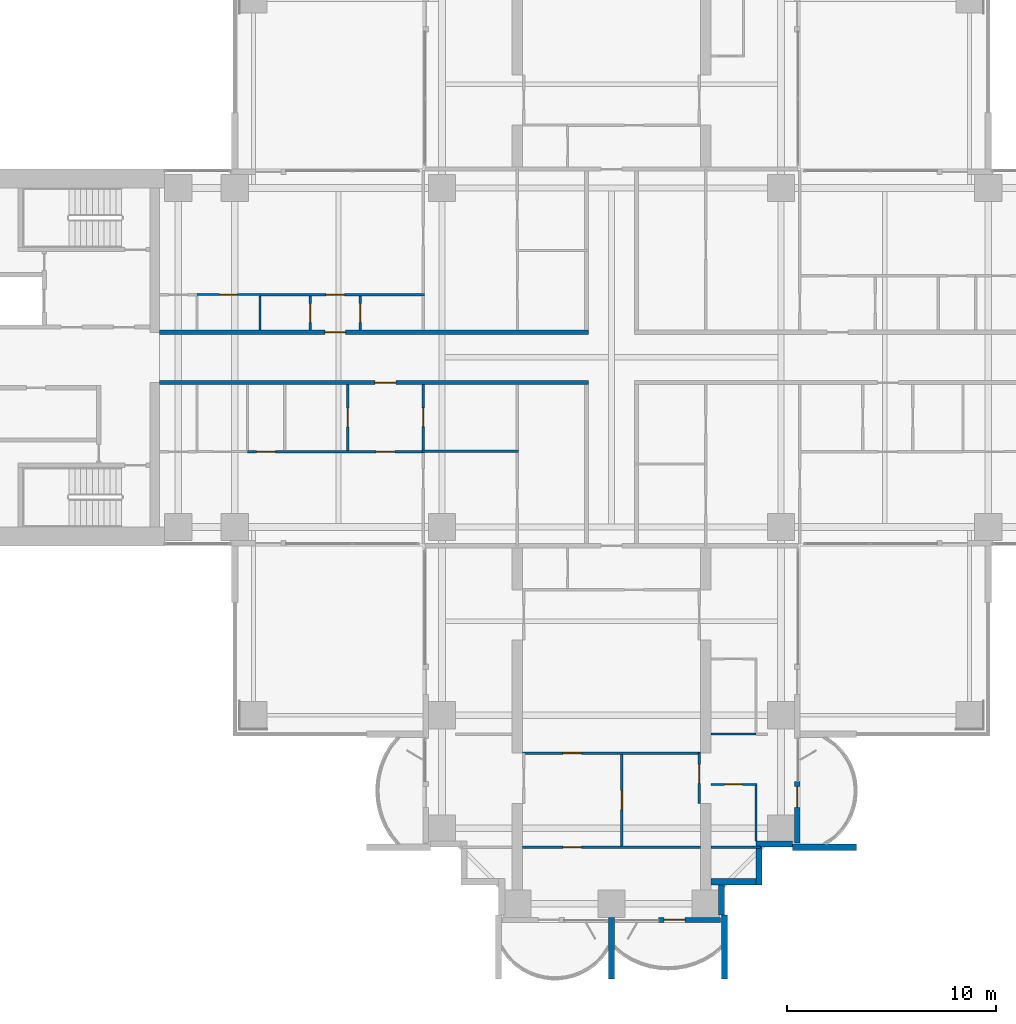
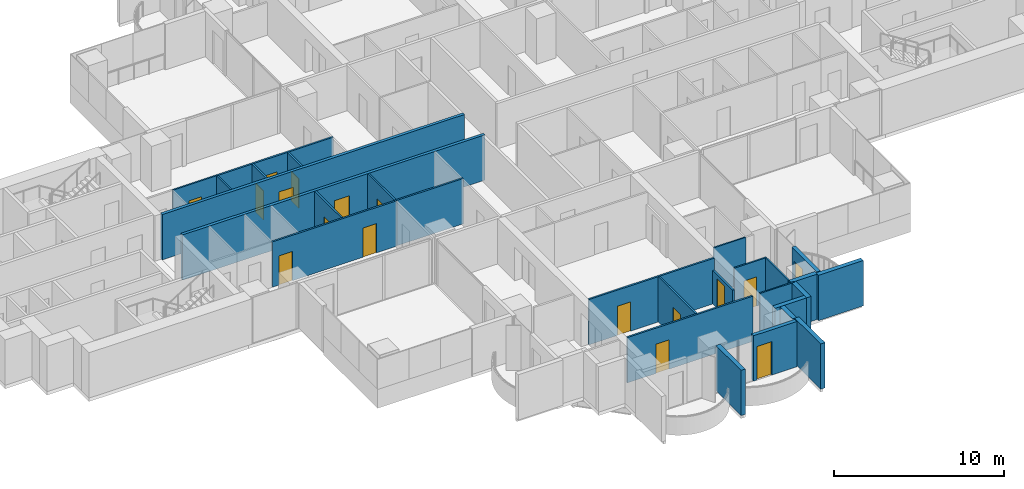
# One storey, part 11 of 21: 28 walls, 17 doors, 17 openings.
"""IFC4 building model written with IfcOpenShell, lengths in metres."""

from ifc_helpers import new_model, si_unit, direction, frame, frame_2d, origin, place, context, subcontext, project, spatial, rectangle, extrude, material, layer, layer_set, type_object, element, fill, save


model = new_model("IFC4")

# Units and contexts
model_context = context("Model", 3, precision=1e-05, world=origin(), true_north=direction((0.0, 1.0)))
body_context = subcontext(model_context, "Body", "Model", "MODEL_VIEW")
ifc_project = project(units=[si_unit("LENGTHUNIT", "METRE"), si_unit("AREAUNIT", "SQUARE_METRE"), si_unit("VOLUMEUNIT", "CUBIC_METRE"), si_unit("PLANEANGLEUNIT", "RADIAN"), si_unit("MASSUNIT", "GRAM", prefix="KILO")], contexts=[model_context])

# Site, building, storey
site_placement = place(None, origin())
site = spatial("IfcSite", under=ifc_project, at=site_placement, CompositionType="ELEMENT")
building_placement = place(site_placement, origin())
building = spatial("IfcBuilding", under=site, at=building_placement, Name="Perihelion Cross Residences", CompositionType="ELEMENT")
storey_placement = place(building_placement, frame((0.0, 0.0, 47.0)))
storey = spatial("IfcBuildingStorey", under=building, at=storey_placement, Name="L08", CompositionType="ELEMENT", Elevation=47.0)

# Wall, opening, door
ifc_material_1 = material(Name="Plasterboard partition")
ifc_layer_1 = layer(ifc_material_1, 0.199951171875)
ifc_layer_set_1 = layer_set([ifc_layer_1], Name="Apartment separation wall 200")
wall_type_1 = type_object("IfcWallType", Name="Apartment separation wall 200", PredefinedType="PARTITIONING", material=ifc_layer_set_1)
wall_1_placement = place(storey_placement, frame((-21.60009765625, 1.199951171875, 0.0), z_axis=(0.0, 0.0, 1.0), x_axis=(1.0, 0.0, 0.0)))
wall_1 = element("IfcWall", 1, at=wall_1_placement, inside=storey, type_object=wall_type_1, Name="Partition L08 W005", PredefinedType="PARTITIONING", context=body_context, shape_type="SweptSolid", body=[
    extrude(rectangle(XDim=20.5, YDim=0.199951171875, at=frame_2d((10.25, 0.0))), origin(), (0.0, 0.0, 1.0), 3.25),
])
opening_1_placement = place(wall_1_placement, frame((7.89990234375, 0.0, 0.0)))
opening_1 = element("IfcOpeningElement", 2, at=opening_1_placement, cuts=wall_1, Name="Opening L08.A49", PredefinedType="OPENING", context=body_context, shape_type="SweptSolid", body=[
    extrude(rectangle(XDim=1.0, YDim=2.10009765625, at=frame_2d((0.5, 1.050048828125))), frame((0.0, 0.10986328125, 0.0), z_axis=(0.0, -1.0, 0.0), x_axis=(1.0, 0.0, 0.0)), (0.0, 0.0, 1.0), 0.219970703125),
])
ifc_material_2 = material(Name="Timber door leaf", Category="wood")
door_type_1 = type_object("IfcDoorType", Name="Flat entrance door 1000 x 2100", OperationType="SINGLE_SWING_LEFT", PredefinedType="DOOR", material=ifc_material_2)
door_1_placement = place(opening_1_placement, origin())
door_1 = element("IfcDoor", 3, at=door_1_placement, inside=storey, type_object=door_type_1, Name="Door L08.A49", OperationType="SINGLE_SWING_LEFT", OverallHeight=2.10009765625, OverallWidth=1.0, PredefinedType="DOOR", context=body_context, shape_type="SweptSolid", body=[
    extrude(rectangle(XDim=1.0, YDim=2.10009765625, at=frame_2d((0.5, 1.050048828125))), frame((0.0, 0.02490234375, 0.0), z_axis=(0.0, -1.0, 0.0), x_axis=(1.0, 0.0, 0.0)), (0.0, 0.0, 1.0), 0.050048828125),
])
fill(opening_1, door_1)

wall_2_placement = place(storey_placement, frame((-1.10009765625, -1.199951171875, 0.0), z_axis=(0.0, 0.0, 1.0), x_axis=(-1.0, 0.0, 0.0)))
wall_2 = element("IfcWall", 4, at=wall_2_placement, inside=storey, type_object=wall_type_1, Name="Partition L08 W007", PredefinedType="PARTITIONING", context=body_context, shape_type="SweptSolid", body=[
    extrude(rectangle(XDim=20.5, YDim=0.199951171875, at=frame_2d((10.25, 0.0))), origin(), (0.0, 0.0, 1.0), 3.25),
])
opening_2_placement = place(wall_2_placement, frame((9.199951171875, 0.0, 0.0)))
opening_2 = element("IfcOpeningElement", 5, at=opening_2_placement, cuts=wall_2, Name="Opening L08.A50", PredefinedType="OPENING", context=body_context, shape_type="SweptSolid", body=[
    extrude(rectangle(XDim=1.0, YDim=2.10009765625, at=frame_2d((0.5, 1.050048828125))), frame((0.0, 0.10986328125, 0.0), z_axis=(0.0, -1.0, 0.0), x_axis=(1.0, 0.0, 0.0)), (0.0, 0.0, 1.0), 0.219970703125),
])
door_2_placement = place(opening_2_placement, origin())
door_2 = element("IfcDoor", 6, at=door_2_placement, inside=storey, type_object=door_type_1, Name="Door L08.A50", OperationType="SINGLE_SWING_RIGHT", OverallHeight=2.10009765625, OverallWidth=1.0, PredefinedType="DOOR", context=body_context, shape_type="SweptSolid", body=[
    extrude(rectangle(XDim=1.0, YDim=2.10009765625, at=frame_2d((0.5, 1.050048828125))), frame((0.0, 0.02490234375, 0.0), z_axis=(0.0, -1.0, 0.0), x_axis=(1.0, 0.0, 0.0)), (0.0, 0.0, 1.0), 0.050048828125),
])
fill(opening_2, door_2)

ifc_material_3 = material(Name="Concrete C30/37, bronze-clad", Category="concrete")
ifc_layer_2 = layer(ifc_material_3, 0.25)
ifc_layer_set_2 = layer_set([ifc_layer_2], Name="Bronze-clad pier wall 250")
wall_type_2 = type_object("IfcWallType", Name="Bronze-clad pier wall 250", PredefinedType="SOLIDWALL", material=ifc_layer_set_2)
wall_3_placement = place(storey_placement, frame((2.25, -26.875, 0.0), z_axis=(0.0, 0.0, 1.0), x_axis=(1.0, 0.0, 0.0)))
wall_3 = element("IfcWall", 7, at=wall_3_placement, inside=storey, type_object=wall_type_2, Name="Wall FW1 L08 south tip south bay 2 pier", PredefinedType="SOLIDWALL", context=body_context, shape_type="SweptSolid", body=[
    extrude(rectangle(XDim=2.949951171875, YDim=0.25, at=frame_2d((1.47509765625, 0.0))), origin(), (0.0, 0.0, 1.0), 3.25),
])
opening_3_placement = place(wall_3_placement, frame((0.25, 0.0, 0.0)))
opening_3 = element("IfcOpeningElement", 8, at=opening_3_placement, cuts=wall_3, Name="Opening L08.E13", PredefinedType="OPENING", context=body_context, shape_type="SweptSolid", body=[
    extrude(rectangle(XDim=1.0, YDim=2.39990234375, at=frame_2d((0.5, 1.199951171875))), frame((0.0, 0.135009765625, 0.0), z_axis=(0.0, -1.0, 0.0), x_axis=(1.0, 0.0, 0.0)), (0.0, 0.0, 1.0), 0.27001953125),
])
ifc_material_4 = material(Name="Bronze anodised aluminium, glazed", Category="aluminium")
door_type_2 = type_object("IfcDoorType", Name="Balcony door 1000 x 2400", OperationType="NOTDEFINED", PredefinedType="DOOR", material=ifc_material_4)
door_3_placement = place(opening_3_placement, origin())
door_3 = element("IfcDoor", 9, at=door_3_placement, inside=storey, type_object=door_type_2, Name="Door L08.E13 south tip south bay 2", OperationType="SINGLE_SWING_RIGHT", OverallHeight=2.39990234375, OverallWidth=1.0, PredefinedType="DOOR", context=body_context, shape_type="SweptSolid", body=[
    extrude(rectangle(XDim=1.0, YDim=2.39990234375, at=frame_2d((0.5, 1.199951171875))), frame((0.0, 0.02490234375, 0.0), z_axis=(0.0, -1.0, 0.0), x_axis=(1.0, 0.0, 0.0)), (0.0, 0.0, 1.0), 0.050048828125),
])
fill(opening_3, door_3)

wall_4_placement = place(storey_placement, frame((8.875, -23.199951171875, 0.0), z_axis=(0.0, 0.0, 1.0), x_axis=(0.0, 1.0, 0.0)))
wall_4 = element("IfcWall", 10, at=wall_4_placement, inside=storey, type_object=wall_type_2, Name="Wall FW1 L08 south side east bay 1 pier", PredefinedType="SOLIDWALL", context=body_context, shape_type="SweptSolid", body=[
    extrude(rectangle(XDim=2.949951171875, YDim=0.25, at=frame_2d((1.47509765625, 0.0))), origin(), (0.0, 0.0, 1.0), 3.25),
])
opening_4_placement = place(wall_4_placement, frame((1.699951171875, 0.0, 0.0)))
opening_4 = element("IfcOpeningElement", 11, at=opening_4_placement, cuts=wall_4, Name="Opening L08.E14", PredefinedType="OPENING", context=body_context, shape_type="SweptSolid", body=[
    extrude(rectangle(XDim=1.0, YDim=2.39990234375, at=frame_2d((0.5, 1.199951171875))), frame((0.0, 0.135009765625, 0.0), z_axis=(0.0, -1.0, 0.0), x_axis=(1.0, 0.0, 0.0)), (0.0, 0.0, 1.0), 0.27001953125),
])
door_4_placement = place(opening_4_placement, origin())
door_4 = element("IfcDoor", 12, at=door_4_placement, inside=storey, type_object=door_type_2, Name="Door L08.E14 south side east bay 1", OperationType="SINGLE_SWING_LEFT", OverallHeight=2.39990234375, OverallWidth=1.0, PredefinedType="DOOR", context=body_context, shape_type="SweptSolid", body=[
    extrude(rectangle(XDim=1.0, YDim=2.39990234375, at=frame_2d((0.5, 1.199951171875))), frame((0.0, 0.02490234375, 0.0), z_axis=(0.0, -1.0, 0.0), x_axis=(1.0, 0.0, 0.0)), (0.0, 0.0, 1.0), 0.050048828125),
])
fill(opening_4, door_4)

# Walls
ifc_material_5 = material(Name="Concrete C30/37, bronze-clad", Category="concrete")
ifc_layer_3 = layer(ifc_material_5, 0.300048828125)
ifc_layer_set_3 = layer_set([ifc_layer_3], Name="Bronze-clad serration wall 300")
wall_type_3 = type_object("IfcWallType", Name="Bronze-clad serration wall 300", PredefinedType="SOLIDWALL", material=ifc_layer_set_3)
wall_5_placement = place(storey_placement, frame((5.25, -26.64990234375, 0.0), z_axis=(0.0, 0.0, 1.0), x_axis=(0.0, 1.0, 0.0)))
element("IfcWall", 13, at=wall_5_placement, inside=storey, type_object=wall_type_3, Name="Wall SR1 L08 south corner south-east 1", PredefinedType="SOLIDWALL", context=body_context, shape_type="SweptSolid", body=[
    extrude(rectangle(XDim=1.449951171875, YDim=0.300048828125, at=frame_2d((0.72509765625, 0.0))), origin(), (0.0, 0.0, 1.0), 3.25),
])
wall_6_placement = place(storey_placement, frame((4.75, -25.050048828125, 0.0), z_axis=(0.0, 0.0, 1.0), x_axis=(1.0, 0.0, 0.0)))
element("IfcWall", 14, at=wall_6_placement, inside=storey, type_object=wall_type_3, Name="Wall SR1 L08 south corner south-east 2", PredefinedType="SOLIDWALL", context=body_context, shape_type="SweptSolid", body=[
    extrude(rectangle(XDim=2.14990234375, YDim=0.300048828125, at=frame_2d((1.074951171875, 0.0))), origin(), (0.0, 0.0, 1.0), 3.25),
])
wall_7_placement = place(storey_placement, frame((7.050048828125, -25.199951171875, 0.0), z_axis=(0.0, 0.0, 1.0), x_axis=(0.0, 1.0, 0.0)))
element("IfcWall", 15, at=wall_7_placement, inside=storey, type_object=wall_type_3, Name="Wall SR1 L08 south corner south-east 3", PredefinedType="SOLIDWALL", context=body_context, shape_type="SweptSolid", body=[
    extrude(rectangle(XDim=1.800048828125, YDim=0.300048828125, at=frame_2d((0.89990234375, 0.0))), origin(), (0.0, 0.0, 1.0), 3.25),
])
wall_8_placement = place(storey_placement, frame((6.89990234375, -23.25, 0.0), z_axis=(0.0, 0.0, 1.0), x_axis=(1.0, 0.0, 0.0)))
element("IfcWall", 16, at=wall_8_placement, inside=storey, type_object=wall_type_3, Name="Wall SR1 L08 south corner south-east 4", PredefinedType="SOLIDWALL", context=body_context, shape_type="SweptSolid", body=[
    extrude(rectangle(XDim=1.75, YDim=0.300048828125, at=frame_2d((0.875, 0.0))), origin(), (0.0, 0.0, 1.0), 3.25),
])

# Wall, opening, door
ifc_material_6 = material(Name="Plasterboard partition")
ifc_layer_4 = layer(ifc_material_6, 0.1201171875)
ifc_layer_set_4 = layer_set([ifc_layer_4], Name="Infill panel 120")
wall_type_4 = type_object("IfcWallType", Name="Infill panel 120", PredefinedType="PARTITIONING", material=ifc_layer_set_4)
wall_9_placement = place(storey_placement, frame((4.18994140625, -18.89990234375, 0.0), z_axis=(0.0, 0.0, 1.0), x_axis=(0.0, -1.0, 0.0)))
wall_9 = element("IfcWall", 17, at=wall_9_placement, inside=storey, type_object=wall_type_4, Name="Partition L08 WI06", PredefinedType="PARTITIONING", context=body_context, shape_type="SweptSolid", body=[
    extrude(rectangle(XDim=2.400146484375, YDim=0.1201171875, at=frame_2d((1.2001953125, 0.0))), origin(), (0.0, 0.0, 1.0), 2.39990234375),
])
opening_5_placement = place(wall_9_placement, frame((0.550048828125, 0.0, 0.0)))
opening_5 = element("IfcOpeningElement", 18, at=opening_5_placement, cuts=wall_9, Name="Opening L08.A56", PredefinedType="OPENING", context=body_context, shape_type="SweptSolid", body=[
    extrude(rectangle(XDim=0.89990234375, YDim=2.10009765625, at=frame_2d((0.449951171875, 1.050048828125))), frame((0.0, 0.070068359375, 0.0), z_axis=(0.0, -1.0, 0.0), x_axis=(1.0, 0.0, 0.0)), (0.0, 0.0, 1.0), 0.14013671875),
])
ifc_material_7 = material(Name="Timber door leaf", Category="wood")
door_type_3 = type_object("IfcDoorType", Name="Interior room door 900 x 2100", OperationType="SINGLE_SWING_LEFT", PredefinedType="DOOR", material=ifc_material_7)
door_5_placement = place(opening_5_placement, origin())
door_5 = element("IfcDoor", 19, at=door_5_placement, inside=storey, type_object=door_type_3, Name="Door L08.A56", OperationType="SINGLE_SWING_LEFT", OverallHeight=2.10009765625, OverallWidth=0.89990234375, PredefinedType="DOOR", context=body_context, shape_type="SweptSolid", body=[
    extrude(rectangle(XDim=0.89990234375, YDim=2.10009765625, at=frame_2d((0.449951171875, 1.050048828125))), frame((0.0, 0.02490234375, 0.0), z_axis=(0.0, -1.0, 0.0), x_axis=(1.0, 0.0, 0.0)), (0.0, 0.0, 1.0), 0.050048828125),
])
fill(opening_5, door_5)

ifc_material_8 = material(Name="Plasterboard partition")
ifc_layer_5 = layer(ifc_material_8, 0.1201171875)
ifc_layer_set_5 = layer_set([ifc_layer_5], Name="Partition wall 120")
wall_type_5 = type_object("IfcWallType", Name="Partition wall 120", PredefinedType="PARTITIONING", material=ifc_layer_set_5)
wall_10_placement = place(storey_placement, frame((-12.0, 1.300048828125, 0.0), z_axis=(0.0, 0.0, 1.0), x_axis=(0.0, 1.0, 0.0)))
wall_10 = element("IfcWall", 20, at=wall_10_placement, inside=storey, type_object=wall_type_5, Name="Partition L08 W031", PredefinedType="PARTITIONING", context=body_context, shape_type="SweptSolid", body=[
    extrude(rectangle(XDim=1.639892578125, YDim=0.1201171875, at=frame_2d((0.81982421875, 0.0))), origin(), (0.0, 0.0, 1.0), 3.25),
])
opening_6_placement = place(wall_10_placement, frame((0.3701171875, 0.0, 0.0)))
opening_6 = element("IfcOpeningElement", 21, at=opening_6_placement, cuts=wall_10, Name="Opening L08.A17", PredefinedType="OPENING", context=body_context, shape_type="SweptSolid", body=[
    extrude(rectangle(XDim=0.89990234375, YDim=2.10009765625, at=frame_2d((0.449951171875, 1.050048828125))), frame((0.0, 0.070068359375, 0.0), z_axis=(0.0, -1.0, 0.0), x_axis=(1.0, 0.0, 0.0)), (0.0, 0.0, 1.0), 0.14013671875),
])
door_6_placement = place(opening_6_placement, origin())
door_6 = element("IfcDoor", 22, at=door_6_placement, inside=storey, type_object=door_type_3, Name="Door L08.A17", OperationType="SINGLE_SWING_RIGHT", OverallHeight=2.10009765625, OverallWidth=0.89990234375, PredefinedType="DOOR", context=body_context, shape_type="SweptSolid", body=[
    extrude(rectangle(XDim=0.89990234375, YDim=2.10009765625, at=frame_2d((0.449951171875, 1.050048828125))), frame((0.0, 0.02490234375, 0.0), z_axis=(0.0, -1.0, 0.0), x_axis=(1.0, 0.0, 0.0)), (0.0, 0.0, 1.0), 0.050048828125),
])
fill(opening_6, door_6)

wall_11_placement = place(storey_placement, frame((-16.800048828125, 3.0, 0.0), z_axis=(0.0, 0.0, 1.0), x_axis=(1.0, 0.0, 0.0)))
wall_11 = element("IfcWall", 23, at=wall_11_placement, inside=storey, type_object=wall_type_5, Name="Partition L08 W032", PredefinedType="PARTITIONING", context=body_context, shape_type="SweptSolid", body=[
    extrude(rectangle(XDim=7.860107421875, YDim=0.1201171875, at=frame_2d((3.93017578125, 0.0))), origin(), (0.0, 0.0, 1.0), 3.25),
])
opening_7_placement = place(wall_11_placement, frame((3.14990234375, 0.0, 0.0)))
opening_7 = element("IfcOpeningElement", 24, at=opening_7_placement, cuts=wall_11, Name="Opening L08.A22", PredefinedType="OPENING", context=body_context, shape_type="SweptSolid", body=[
    extrude(rectangle(XDim=0.89990234375, YDim=2.10009765625, at=frame_2d((0.449951171875, 1.050048828125))), frame((0.0, 0.070068359375, 0.0), z_axis=(0.0, -1.0, 0.0), x_axis=(1.0, 0.0, 0.0)), (0.0, 0.0, 1.0), 0.14013671875),
])
door_7_placement = place(opening_7_placement, origin())
door_7 = element("IfcDoor", 25, at=door_7_placement, inside=storey, type_object=door_type_3, Name="Door L08.A22", OperationType="SINGLE_SWING_LEFT", OverallHeight=2.10009765625, OverallWidth=0.89990234375, PredefinedType="DOOR", context=body_context, shape_type="SweptSolid", body=[
    extrude(rectangle(XDim=0.89990234375, YDim=2.10009765625, at=frame_2d((0.449951171875, 1.050048828125))), frame((0.0, 0.02490234375, 0.0), z_axis=(0.0, -1.0, 0.0), x_axis=(1.0, 0.0, 0.0)), (0.0, 0.0, 1.0), 0.050048828125),
])
fill(opening_7, door_7)

wall_12_placement = place(storey_placement, frame((-14.39990234375, 1.300048828125, 0.0), z_axis=(0.0, 0.0, 1.0), x_axis=(0.0, 1.0, 0.0)))
wall_12 = element("IfcWall", 26, at=wall_12_placement, inside=storey, type_object=wall_type_5, Name="Partition L08 W034", PredefinedType="PARTITIONING", context=body_context, shape_type="SweptSolid", body=[
    extrude(rectangle(XDim=1.639892578125, YDim=0.1201171875, at=frame_2d((0.81982421875, 0.0))), origin(), (0.0, 0.0, 1.0), 3.25),
])
opening_8_placement = place(wall_12_placement, frame((0.3701171875, 0.0, 0.0)))
opening_8 = element("IfcOpeningElement", 27, at=opening_8_placement, cuts=wall_12, Name="Opening L08.A23", PredefinedType="OPENING", context=body_context, shape_type="SweptSolid", body=[
    extrude(rectangle(XDim=0.89990234375, YDim=2.10009765625, at=frame_2d((0.449951171875, 1.050048828125))), frame((0.0, 0.070068359375, 0.0), z_axis=(0.0, -1.0, 0.0), x_axis=(1.0, 0.0, 0.0)), (0.0, 0.0, 1.0), 0.14013671875),
])
door_8_placement = place(opening_8_placement, origin())
door_8 = element("IfcDoor", 28, at=door_8_placement, inside=storey, type_object=door_type_3, Name="Door L08.A23", OperationType="SINGLE_SWING_LEFT", OverallHeight=2.10009765625, OverallWidth=0.89990234375, PredefinedType="DOOR", context=body_context, shape_type="SweptSolid", body=[
    extrude(rectangle(XDim=0.89990234375, YDim=2.10009765625, at=frame_2d((0.449951171875, 1.050048828125))), frame((0.0, 0.02490234375, 0.0), z_axis=(0.0, -1.0, 0.0), x_axis=(1.0, 0.0, 0.0)), (0.0, 0.0, 1.0), 0.050048828125),
])
fill(opening_8, door_8)

wall_13_placement = place(storey_placement, frame((-12.60009765625, -4.43994140625, 0.0), z_axis=(0.0, 0.0, 1.0), x_axis=(0.0, 1.0, 0.0)))
wall_13 = element("IfcWall", 29, at=wall_13_placement, inside=storey, type_object=wall_type_5, Name="Partition L08 W042", PredefinedType="PARTITIONING", context=body_context, shape_type="SweptSolid", body=[
    extrude(rectangle(XDim=3.139892578125, YDim=0.1201171875, at=frame_2d((1.56982421875, 0.0))), origin(), (0.0, 0.0, 1.0), 3.25),
])
opening_9_placement = place(wall_13_placement, frame((1.1201171875, 0.0, 0.0)))
opening_9 = element("IfcOpeningElement", 30, at=opening_9_placement, cuts=wall_13, Name="Opening L08.A26", PredefinedType="OPENING", context=body_context, shape_type="SweptSolid", body=[
    extrude(rectangle(XDim=0.89990234375, YDim=2.10009765625, at=frame_2d((0.449951171875, 1.050048828125))), frame((0.0, 0.070068359375, 0.0), z_axis=(0.0, -1.0, 0.0), x_axis=(1.0, 0.0, 0.0)), (0.0, 0.0, 1.0), 0.14013671875),
])
door_9_placement = place(opening_9_placement, origin())
door_9 = element("IfcDoor", 31, at=door_9_placement, inside=storey, type_object=door_type_3, Name="Door L08.A26", OperationType="SINGLE_SWING_RIGHT", OverallHeight=2.10009765625, OverallWidth=0.89990234375, PredefinedType="DOOR", context=body_context, shape_type="SweptSolid", body=[
    extrude(rectangle(XDim=0.89990234375, YDim=2.10009765625, at=frame_2d((0.449951171875, 1.050048828125))), frame((0.0, 0.02490234375, 0.0), z_axis=(0.0, -1.0, 0.0), x_axis=(1.0, 0.0, 0.0)), (0.0, 0.0, 1.0), 0.050048828125),
])
fill(opening_9, door_9)

# Wall, openings, doors
wall_14_placement = place(storey_placement, frame((-8.93994140625, -4.5, 0.0), z_axis=(0.0, 0.0, 1.0), x_axis=(-1.0, 0.0, 0.0)))
wall_14 = element("IfcWall", 32, at=wall_14_placement, inside=storey, type_object=wall_type_5, Name="Partition L08 W043", PredefinedType="PARTITIONING", context=body_context, shape_type="SweptSolid", body=[
    extrude(rectangle(XDim=8.4599609375, YDim=0.1201171875, at=frame_2d((4.22998046875, 0.0))), origin(), (0.0, 0.0, 1.0), 3.25),
])
opening_10_placement = place(wall_14_placement, frame((7.110107421875, 0.0, 0.0)))
opening_10 = element("IfcOpeningElement", 33, at=opening_10_placement, cuts=wall_14, Name="Opening L08.A28", PredefinedType="OPENING", context=body_context, shape_type="SweptSolid", body=[
    extrude(rectangle(XDim=0.89990234375, YDim=2.10009765625, at=frame_2d((0.449951171875, 1.050048828125))), frame((0.0, 0.070068359375, 0.0), z_axis=(0.0, -1.0, 0.0), x_axis=(1.0, 0.0, 0.0)), (0.0, 0.0, 1.0), 0.14013671875),
])
opening_11_placement = place(wall_14_placement, frame((1.409912109375, 0.0, 0.0)))
opening_11 = element("IfcOpeningElement", 34, at=opening_11_placement, cuts=wall_14, Name="Opening L08.A31", PredefinedType="OPENING", context=body_context, shape_type="SweptSolid", body=[
    extrude(rectangle(XDim=0.89990234375, YDim=2.10009765625, at=frame_2d((0.449951171875, 1.050048828125))), frame((0.0, 0.070068359375, 0.0), z_axis=(0.0, -1.0, 0.0), x_axis=(1.0, 0.0, 0.0)), (0.0, 0.0, 1.0), 0.14013671875),
])
door_10_placement = place(opening_10_placement, origin())
door_10 = element("IfcDoor", 35, at=door_10_placement, inside=storey, type_object=door_type_3, Name="Door L08.A28", OperationType="SINGLE_SWING_RIGHT", OverallHeight=2.10009765625, OverallWidth=0.89990234375, PredefinedType="DOOR", context=body_context, shape_type="SweptSolid", body=[
    extrude(rectangle(XDim=0.89990234375, YDim=2.10009765625, at=frame_2d((0.449951171875, 1.050048828125))), frame((0.0, 0.02490234375, 0.0), z_axis=(0.0, -1.0, 0.0), x_axis=(1.0, 0.0, 0.0)), (0.0, 0.0, 1.0), 0.050048828125),
])
fill(opening_10, door_10)
door_11_placement = place(opening_11_placement, origin())
door_11 = element("IfcDoor", 36, at=door_11_placement, inside=storey, type_object=door_type_3, Name="Door L08.A31", OperationType="SINGLE_SWING_LEFT", OverallHeight=2.10009765625, OverallWidth=0.89990234375, PredefinedType="DOOR", context=body_context, shape_type="SweptSolid", body=[
    extrude(rectangle(XDim=0.89990234375, YDim=2.10009765625, at=frame_2d((0.449951171875, 1.050048828125))), frame((0.0, 0.02490234375, 0.0), z_axis=(0.0, -1.0, 0.0), x_axis=(1.0, 0.0, 0.0)), (0.0, 0.0, 1.0), 0.050048828125),
])
fill(opening_11, door_11)

# Wall, opening, door
wall_15_placement = place(storey_placement, frame((-9.0, -1.300048828125, 0.0), z_axis=(0.0, 0.0, 1.0), x_axis=(0.0, -1.0, 0.0)))
wall_15 = element("IfcWall", 37, at=wall_15_placement, inside=storey, type_object=wall_type_5, Name="Partition L08 W044", PredefinedType="PARTITIONING", context=body_context, shape_type="SweptSolid", body=[
    extrude(rectangle(XDim=3.115966796875, YDim=0.1201171875, at=frame_2d((1.55810546875, 0.0))), origin(), (0.0, 0.0, 1.0), 3.25),
])
opening_12_placement = place(wall_15_placement, frame((1.10791015625, 0.0, 0.0)))
opening_12 = element("IfcOpeningElement", 38, at=opening_12_placement, cuts=wall_15, Name="Opening L08.A27", PredefinedType="OPENING", context=body_context, shape_type="SweptSolid", body=[
    extrude(rectangle(XDim=0.89990234375, YDim=2.10009765625, at=frame_2d((0.449951171875, 1.050048828125))), frame((0.0, 0.070068359375, 0.0), z_axis=(0.0, -1.0, 0.0), x_axis=(1.0, 0.0, 0.0)), (0.0, 0.0, 1.0), 0.14013671875),
])
door_12_placement = place(opening_12_placement, origin())
door_12 = element("IfcDoor", 39, at=door_12_placement, inside=storey, type_object=door_type_3, Name="Door L08.A27", OperationType="SINGLE_SWING_LEFT", OverallHeight=2.10009765625, OverallWidth=0.89990234375, PredefinedType="DOOR", context=body_context, shape_type="SweptSolid", body=[
    extrude(rectangle(XDim=0.89990234375, YDim=2.10009765625, at=frame_2d((0.449951171875, 1.050048828125))), frame((0.0, 0.02490234375, 0.0), z_axis=(0.0, -1.0, 0.0), x_axis=(1.0, 0.0, 0.0)), (0.0, 0.0, 1.0), 0.050048828125),
])
fill(opening_12, door_12)

# Wall
wall_16_placement = place(storey_placement, frame((-4.43994140625, -4.47607421875, 0.0), z_axis=(0.0, 0.0, 1.0), x_axis=(-1.0, 0.0, 0.0)))
element("IfcWall", 40, at=wall_16_placement, inside=storey, type_object=wall_type_5, Name="Partition L08 W051", PredefinedType="PARTITIONING", context=body_context, shape_type="SweptSolid", body=[
    extrude(rectangle(XDim=4.6201171875, YDim=0.1201171875, at=frame_2d((2.31005859375, 0.0))), origin(), (0.0, 0.0, 1.0), 3.25),
])

# Wall, opening, door
wall_17_placement = place(storey_placement, frame((4.25, -18.89990234375, 0.0), z_axis=(0.0, 0.0, 1.0), x_axis=(-1.0, 0.0, 0.0)))
wall_17 = element("IfcWall", 41, at=wall_17_placement, inside=storey, type_object=wall_type_5, Name="Partition L08 W069", PredefinedType="PARTITIONING", context=body_context, shape_type="SweptSolid", body=[
    extrude(rectangle(XDim=8.5, YDim=0.1201171875, at=frame_2d((4.25, 0.0))), origin(), (0.0, 0.0, 1.0), 3.25),
])
opening_13_placement = place(wall_17_placement, frame((5.675048828125, 0.0, 0.0)))
opening_13 = element("IfcOpeningElement", 42, at=opening_13_placement, cuts=wall_17, Name="Opening L08.A42", PredefinedType="OPENING", context=body_context, shape_type="SweptSolid", body=[
    extrude(rectangle(XDim=0.89990234375, YDim=2.10009765625, at=frame_2d((0.449951171875, 1.050048828125))), frame((0.0, 0.070068359375, 0.0), z_axis=(0.0, -1.0, 0.0), x_axis=(1.0, 0.0, 0.0)), (0.0, 0.0, 1.0), 0.14013671875),
])
door_13_placement = place(opening_13_placement, origin())
door_13 = element("IfcDoor", 43, at=door_13_placement, inside=storey, type_object=door_type_3, Name="Door L08.A42", OperationType="SINGLE_SWING_LEFT", OverallHeight=2.10009765625, OverallWidth=0.89990234375, PredefinedType="DOOR", context=body_context, shape_type="SweptSolid", body=[
    extrude(rectangle(XDim=0.89990234375, YDim=2.10009765625, at=frame_2d((0.449951171875, 1.050048828125))), frame((0.0, 0.02490234375, 0.0), z_axis=(0.0, -1.0, 0.0), x_axis=(1.0, 0.0, 0.0)), (0.0, 0.0, 1.0), 0.050048828125),
])
fill(opening_13, door_13)

wall_18_placement = place(storey_placement, frame((0.5, -18.9599609375, 0.0), z_axis=(0.0, 0.0, 1.0), x_axis=(0.0, -1.0, 0.0)))
wall_18 = element("IfcWall", 44, at=wall_18_placement, inside=storey, type_object=wall_type_5, Name="Partition L08 W070", PredefinedType="PARTITIONING", context=body_context, shape_type="SweptSolid", body=[
    extrude(rectangle(XDim=4.380126953125, YDim=0.1201171875, at=frame_2d((2.18994140625, 0.0))), origin(), (0.0, 0.0, 1.0), 3.25),
])
opening_14_placement = place(wall_18_placement, frame((1.739990234375, 0.0, 0.0)))
opening_14 = element("IfcOpeningElement", 45, at=opening_14_placement, cuts=wall_18, Name="Opening L08.A43", PredefinedType="OPENING", context=body_context, shape_type="SweptSolid", body=[
    extrude(rectangle(XDim=0.89990234375, YDim=2.10009765625, at=frame_2d((0.449951171875, 1.050048828125))), frame((0.0, 0.070068359375, 0.0), z_axis=(0.0, -1.0, 0.0), x_axis=(1.0, 0.0, 0.0)), (0.0, 0.0, 1.0), 0.14013671875),
])
door_14_placement = place(opening_14_placement, origin())
door_14 = element("IfcDoor", 46, at=door_14_placement, inside=storey, type_object=door_type_3, Name="Door L08.A43", OperationType="SINGLE_SWING_LEFT", OverallHeight=2.10009765625, OverallWidth=0.89990234375, PredefinedType="DOOR", context=body_context, shape_type="SweptSolid", body=[
    extrude(rectangle(XDim=0.89990234375, YDim=2.10009765625, at=frame_2d((0.449951171875, 1.050048828125))), frame((0.0, 0.02490234375, 0.0), z_axis=(0.0, -1.0, 0.0), x_axis=(1.0, 0.0, 0.0)), (0.0, 0.0, 1.0), 0.050048828125),
])
fill(opening_14, door_14)

wall_19_placement = place(storey_placement, frame((4.25, -23.39990234375, 0.0), z_axis=(0.0, 0.0, 1.0), x_axis=(-1.0, 0.0, 0.0)))
wall_19 = element("IfcWall", 47, at=wall_19_placement, inside=storey, type_object=wall_type_5, Name="Partition L08 W071", PredefinedType="PARTITIONING", context=body_context, shape_type="SweptSolid", body=[
    extrude(rectangle(XDim=8.5, YDim=0.1201171875, at=frame_2d((4.25, 0.0))), origin(), (0.0, 0.0, 1.0), 3.25),
])
opening_15_placement = place(wall_19_placement, frame((5.675048828125, 0.0, 0.0)))
opening_15 = element("IfcOpeningElement", 48, at=opening_15_placement, cuts=wall_19, Name="Opening L08.A44", PredefinedType="OPENING", context=body_context, shape_type="SweptSolid", body=[
    extrude(rectangle(XDim=0.89990234375, YDim=2.10009765625, at=frame_2d((0.449951171875, 1.050048828125))), frame((0.0, 0.070068359375, 0.0), z_axis=(0.0, -1.0, 0.0), x_axis=(1.0, 0.0, 0.0)), (0.0, 0.0, 1.0), 0.14013671875),
])
door_15_placement = place(opening_15_placement, origin())
door_15 = element("IfcDoor", 49, at=door_15_placement, inside=storey, type_object=door_type_3, Name="Door L08.A44", OperationType="SINGLE_SWING_RIGHT", OverallHeight=2.10009765625, OverallWidth=0.89990234375, PredefinedType="DOOR", context=body_context, shape_type="SweptSolid", body=[
    extrude(rectangle(XDim=0.89990234375, YDim=2.10009765625, at=frame_2d((0.449951171875, 1.050048828125))), frame((0.0, 0.02490234375, 0.0), z_axis=(0.0, -1.0, 0.0), x_axis=(1.0, 0.0, 0.0)), (0.0, 0.0, 1.0), 0.050048828125),
])
fill(opening_15, door_15)

# Walls
ifc_material_9 = material(Name="Precast concrete C50/60", Category="concrete")
ifc_layer_6 = layer(ifc_material_9, 0.300048828125)
ifc_layer_set_6 = layer_set([ifc_layer_6], Name="Precast concrete C50/60 blade wall 300")
wall_type_6 = type_object("IfcWallType", Name="Precast concrete C50/60 blade wall 300", PredefinedType="SOLIDWALL", material=ifc_layer_set_6)
wall_20_placement = place(storey_placement, frame((0.0, -26.75, 0.0), z_axis=(0.0, 0.0, 1.0), x_axis=(0.0, -1.0, 0.0)))
element("IfcWall", 50, at=wall_20_placement, inside=storey, type_object=wall_type_6, Name="Wall BL1 L08 no. 9", PredefinedType="SOLIDWALL", context=body_context, shape_type="SweptSolid", body=[
    extrude(rectangle(XDim=2.949951171875, YDim=0.300048828125, at=frame_2d((1.47509765625, 0.0))), origin(), (0.0, 0.0, 1.0), 3.25),
])
for number, where, z_axis, x_axis, name in (
    (51, (5.39990234375, -26.64990234375, 0.0), (0.0, 0.0, 1.0), (0.0, -1.0, 0.0), "Wall BL1 L08 no. 13"),
    (52, (8.64990234375, -23.39990234375, 0.0), (0.0, 0.0, 1.0), (1.0, 0.0, 0.0), "Wall BL1 L08 no. 16"),
):
    element("IfcWall", number, at=place(storey_placement, frame(where, z_axis=z_axis, x_axis=x_axis)), inside=storey, type_object=wall_type_6, Name=name, PredefinedType="SOLIDWALL", context=body_context, shape_type="SweptSolid", body=[
        extrude(rectangle(XDim=3.050048828125, YDim=0.300048828125, at=frame_2d((1.52490234375, 0.0))), origin(), (0.0, 0.0, 1.0), 3.25),
    ])
ifc_material_10 = material(Name="Plasterboard partition")
ifc_layer_7 = layer(ifc_material_10, 0.10009765625)
ifc_layer_set_7 = layer_set([ifc_layer_7], Name="Wet room wall 100")
wall_type_7 = type_object("IfcWallType", Name="Wet room wall 100", PredefinedType="PARTITIONING", material=ifc_layer_set_7)
wall_21_placement = place(storey_placement, frame((-16.800048828125, 1.300048828125, 0.0), z_axis=(0.0, 0.0, 1.0), x_axis=(0.0, 1.0, 0.0)))
element("IfcWall", 53, at=wall_21_placement, inside=storey, type_object=wall_type_7, Name="Partition L08 W035", PredefinedType="PARTITIONING", context=body_context, shape_type="SweptSolid", body=[
    extrude(rectangle(XDim=1.639892578125, YDim=0.10009765625, at=frame_2d((0.81982421875, 0.0))), origin(), (0.0, 0.0, 1.0), 3.25),
])

# Wall, opening, door
wall_22_placement = place(storey_placement, frame((-19.800048828125, 3.0, 0.0), z_axis=(0.0, 0.0, 1.0), x_axis=(1.0, 0.0, 0.0)))
wall_22 = element("IfcWall", 54, at=wall_22_placement, inside=storey, type_object=wall_type_7, Name="Partition L08 W037", PredefinedType="PARTITIONING", context=body_context, shape_type="SweptSolid", body=[
    extrude(rectangle(XDim=3.0, YDim=0.10009765625, at=frame_2d((1.5, 0.0))), origin(), (0.0, 0.0, 1.0), 3.25),
])
opening_16_placement = place(wall_22_placement, frame((1.074951171875, 0.0, 0.0)))
opening_16 = element("IfcOpeningElement", 55, at=opening_16_placement, cuts=wall_22, Name="Opening L08.A16", PredefinedType="OPENING", context=body_context, shape_type="SweptSolid", body=[
    extrude(rectangle(XDim=0.85009765625, YDim=2.10009765625, at=frame_2d((0.425048828125, 1.050048828125))), frame((0.0, 0.06005859375, 0.0), z_axis=(0.0, -1.0, 0.0), x_axis=(1.0, 0.0, 0.0)), (0.0, 0.0, 1.0), 0.1201171875),
])
ifc_material_11 = material(Name="Timber door leaf", Category="wood")
door_type_4 = type_object("IfcDoorType", Name="Interior bathroom door 850 x 2100", OperationType="SINGLE_SWING_LEFT", PredefinedType="DOOR", material=ifc_material_11)
door_16_placement = place(opening_16_placement, origin())
door_16 = element("IfcDoor", 56, at=door_16_placement, inside=storey, type_object=door_type_4, Name="Door L08.A16", OperationType="SINGLE_SWING_LEFT", OverallHeight=2.10009765625, OverallWidth=0.85009765625, PredefinedType="DOOR", context=body_context, shape_type="SweptSolid", body=[
    extrude(rectangle(XDim=0.85009765625, YDim=2.10009765625, at=frame_2d((0.425048828125, 1.050048828125))), frame((0.0, 0.02490234375, 0.0), z_axis=(0.0, -1.0, 0.0), x_axis=(1.0, 0.0, 0.0)), (0.0, 0.0, 1.0), 0.050048828125),
])
fill(opening_16, door_16)

# Walls
wall_23_placement = place(storey_placement, frame((6.89990234375, -18.0, 0.0), z_axis=(0.0, 0.0, 1.0), x_axis=(-1.0, 0.0, 0.0)))
element("IfcWall", 57, at=wall_23_placement, inside=storey, type_object=wall_type_7, Name="Partition L08 W075", PredefinedType="PARTITIONING", context=body_context, shape_type="SweptSolid", body=[
    extrude(rectangle(XDim=2.14990234375, YDim=0.10009765625, at=frame_2d((1.074951171875, 0.0))), origin(), (0.0, 0.0, 1.0), 3.25),
])
wall_24_placement = place(storey_placement, frame((6.89990234375, -23.10009765625, 0.0), z_axis=(0.0, 0.0, 1.0), x_axis=(0.0, 1.0, 0.0)))
element("IfcWall", 58, at=wall_24_placement, inside=storey, type_object=wall_type_7, Name="Partition L08 W076", PredefinedType="PARTITIONING", context=body_context, shape_type="SweptSolid", body=[
    extrude(rectangle(XDim=2.650146484375, YDim=0.10009765625, at=frame_2d((1.3251953125, 0.0))), origin(), (0.0, 0.0, 1.0), 3.25),
])

# Wall, opening, door
wall_25_placement = place(storey_placement, frame((6.949951171875, -20.39990234375, 0.0), z_axis=(0.0, 0.0, 1.0), x_axis=(-1.0, 0.0, 0.0)))
wall_25 = element("IfcWall", 59, at=wall_25_placement, inside=storey, type_object=wall_type_7, Name="Partition L08 W077", PredefinedType="PARTITIONING", context=body_context, shape_type="SweptSolid", body=[
    extrude(rectangle(XDim=2.199951171875, YDim=0.10009765625, at=frame_2d((1.10009765625, 0.0))), origin(), (0.0, 0.0, 1.0), 3.25),
])
opening_17_placement = place(wall_25_placement, frame((0.699951171875, 0.0, 0.0)))
opening_17 = element("IfcOpeningElement", 60, at=opening_17_placement, cuts=wall_25, Name="Opening L08.A46", PredefinedType="OPENING", context=body_context, shape_type="SweptSolid", body=[
    extrude(rectangle(XDim=0.85009765625, YDim=2.10009765625, at=frame_2d((0.425048828125, 1.050048828125))), frame((0.0, 0.06005859375, 0.0), z_axis=(0.0, -1.0, 0.0), x_axis=(1.0, 0.0, 0.0)), (0.0, 0.0, 1.0), 0.1201171875),
])
door_17_placement = place(opening_17_placement, origin())
door_17 = element("IfcDoor", 61, at=door_17_placement, inside=storey, type_object=door_type_4, Name="Door L08.A46", OperationType="SINGLE_SWING_RIGHT", OverallHeight=2.10009765625, OverallWidth=0.85009765625, PredefinedType="DOOR", context=body_context, shape_type="SweptSolid", body=[
    extrude(rectangle(XDim=0.85009765625, YDim=2.10009765625, at=frame_2d((0.425048828125, 1.050048828125))), frame((0.0, 0.02490234375, 0.0), z_axis=(0.0, -1.0, 0.0), x_axis=(1.0, 0.0, 0.0)), (0.0, 0.0, 1.0), 0.050048828125),
])
fill(opening_17, door_17)

# Wall
wall_26_placement = place(storey_placement, frame((7.1201171875, -23.39990234375, 0.0), z_axis=(0.0, 0.0, 1.0), x_axis=(-1.0, 0.0, 0.0)))
element("IfcWall", 62, at=wall_26_placement, inside=storey, type_object=wall_type_7, Name="Partition L08 W078", PredefinedType="PARTITIONING", context=body_context, shape_type="SweptSolid", body=[
    extrude(rectangle(XDim=2.3701171875, YDim=0.10009765625, at=frame_2d((1.18505859375, 0.0))), origin(), (0.0, 0.0, 1.0), 3.25),
])

save(model, "model.ifc")
